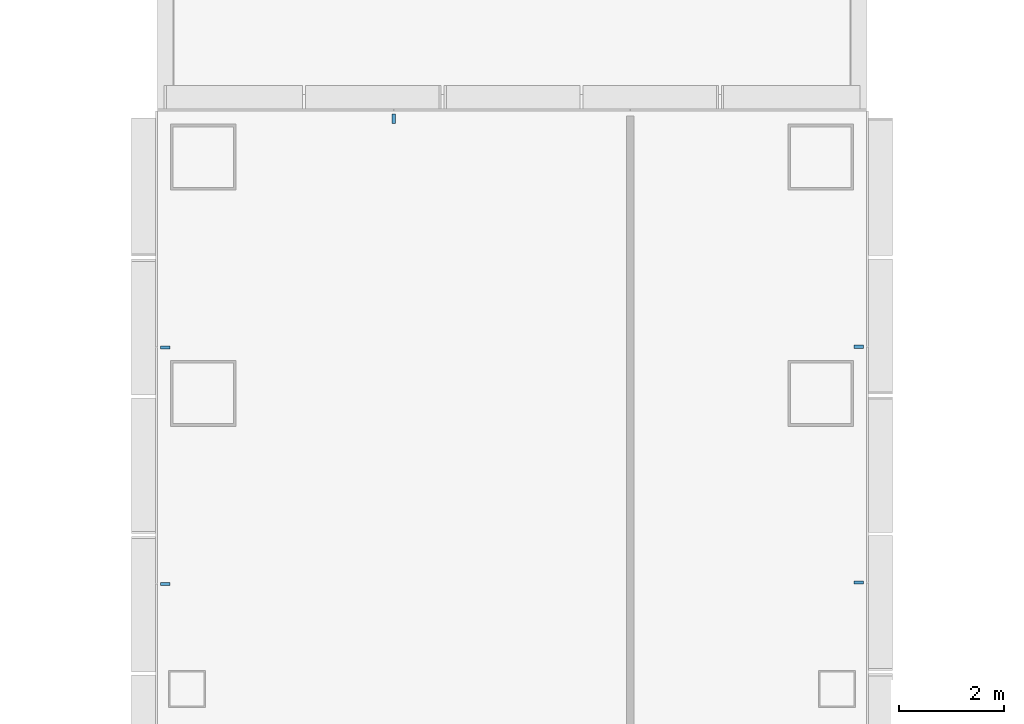
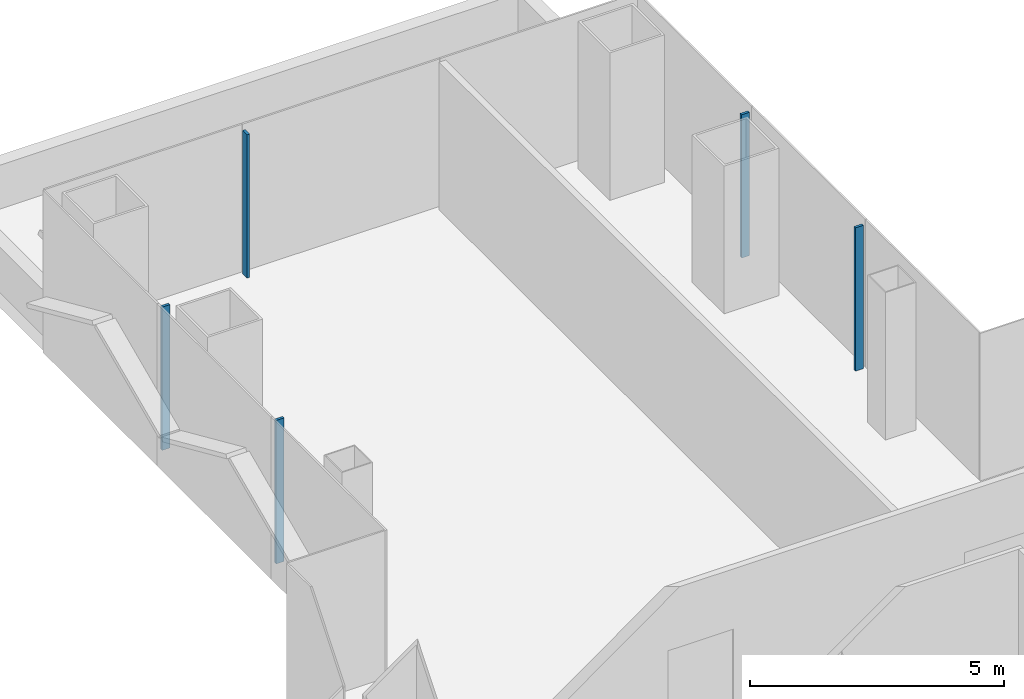
# One storey, part 7 of 20: 5 members, 3 elements without a shape of their own.
"""IFC4 building model written with IfcOpenShell, lengths in metres."""

from ifc_helpers import new_model, si_unit, direction, frame, origin, origin_2d, place, context, subcontext, project, spatial, rectangle, extrude, material, layer, layer_set, material_profile, profile_set, type_object, element, aggregate, save


model = new_model("IFC4")

# Units and contexts
model_context = context("Model", 3, precision=1e-05, world=origin(), true_north=direction((0.0, 1.0)))
body_context = subcontext(model_context, "Body", "Model", "MODEL_VIEW")
ifc_project = project(units=[si_unit("LENGTHUNIT", "METRE"), si_unit("AREAUNIT", "SQUARE_METRE"), si_unit("VOLUMEUNIT", "CUBIC_METRE"), si_unit("PLANEANGLEUNIT", "RADIAN"), si_unit("MASSUNIT", "GRAM", prefix="KILO")], contexts=[model_context])

# Site, building, storey
site_placement = place(None, origin())
site = spatial("IfcSite", under=ifc_project, at=site_placement, CompositionType="ELEMENT")
building_placement = place(site_placement, origin())
building = spatial("IfcBuilding", under=site, at=building_placement, Name="Shamsa Quay Exchange Towers", CompositionType="ELEMENT")
storey_placement = place(building_placement, frame((0.0, 0.0, 81.89990234375)))
storey = spatial("IfcBuildingStorey", under=building, at=storey_placement, Name="L18", CompositionType="ELEMENT", Elevation=81.89990234375)

# Curtain wall, members
ifc_material = material(Name="Aluminium EN AW-6063 T6, black anodised", Category="aluminium")
ifc_layer = layer(ifc_material, 0.280029296875)
ifc_layer_set = layer_set([ifc_layer], Name="CW-1 UNITISED VISION GLASS")
curtain_wall_type = type_object("IfcCurtainWallType", Name="CW-1 UNITISED VISION GLASS", PredefinedType="NOTDEFINED", material=ifc_layer_set)
curtain_wall_1_placement = place(storey_placement, origin())
curtain_wall_1 = element("IfcCurtainWall", 1, at=curtain_wall_1_placement, inside=storey, type_object=curtain_wall_type, Name="CW1 T2-FLK-U+S L18", PredefinedType="NOTDEFINED")
ifc_material_profile = material_profile(ifc_material, rectangle(XDim=0.179931640625, YDim=0.06005859375, at=origin_2d()), Name="MU60x180")
ifc_profile_set = profile_set([ifc_material_profile], Name="Aluminium EN AW-6063 T6, black anodised")
member_type = type_object("IfcMemberType", Name="CW1 MULLION 60x180", PredefinedType="MULLION", material=ifc_profile_set)
member_1_placement = place(storey_placement, frame((40.35009765625, 15.775390625, 0.0), z_axis=(0.0, 0.0, 1.0), x_axis=(-1.0, 0.0, 0.0)))
member_1 = element("IfcMember", 2, at=member_1_placement, type_object=member_type, Name="CW1 mullion", PredefinedType="MULLION", context=body_context, shape_type="SweptSolid", body=[
    extrude(rectangle(XDim=0.179931640625, YDim=0.06005859375, at=origin_2d()), origin(), (0.0, 0.0, 1.0), 3.4501953125),
])
member_2_placement = place(storey_placement, frame((40.35009765625, 20.2626953125, 0.0), z_axis=(0.0, 0.0, 1.0), x_axis=(-1.0, 0.0, 0.0)))
member_2 = element("IfcMember", 3, at=member_2_placement, type_object=member_type, Name="CW1 mullion", PredefinedType="MULLION", context=body_context, shape_type="SweptSolid", body=[
    extrude(rectangle(XDim=0.179931640625, YDim=0.06005859375, at=origin_2d()), origin(), (0.0, 0.0, 1.0), 3.4501953125),
])
aggregate(curtain_wall_1, [member_1, member_2])

# Curtain wall, member
curtain_wall_2_placement = place(storey_placement, origin())
curtain_wall_2 = element("IfcCurtainWall", 4, at=curtain_wall_2_placement, inside=storey, type_object=curtain_wall_type, Name="CW1 T2-END-U+ L18", PredefinedType="NOTDEFINED")
member_3_placement = place(storey_placement, frame((31.5, 24.60009765625, 0.0), z_axis=(0.0, 0.0, 1.0), x_axis=(0.0, -1.0, 0.0)))
member_3 = element("IfcMember", 5, at=member_3_placement, type_object=member_type, Name="CW1 mullion", PredefinedType="MULLION", context=body_context, shape_type="SweptSolid", body=[
    extrude(rectangle(XDim=0.179931640625, YDim=0.06005859375, at=origin_2d()), origin(), (0.0, 0.0, 1.0), 3.4501953125),
])
aggregate(curtain_wall_2, [member_3])

# Curtain wall, members
curtain_wall_3_placement = place(storey_placement, origin())
curtain_wall_3 = element("IfcCurtainWall", 6, at=curtain_wall_3_placement, inside=storey, type_object=curtain_wall_type, Name="CW1 T2-FLK-U+N L18", PredefinedType="NOTDEFINED")
member_4_placement = place(storey_placement, frame((27.14990234375, 20.25, 0.0)))
member_4 = element("IfcMember", 7, at=member_4_placement, type_object=member_type, Name="CW1 mullion", PredefinedType="MULLION", context=body_context, shape_type="SweptSolid", body=[
    extrude(rectangle(XDim=0.179931640625, YDim=0.06005859375, at=origin_2d()), origin(), (0.0, 0.0, 1.0), 3.4501953125),
])
member_5_placement = place(storey_placement, frame((27.14990234375, 15.75, 0.0)))
member_5 = element("IfcMember", 8, at=member_5_placement, type_object=member_type, Name="CW1 mullion", PredefinedType="MULLION", context=body_context, shape_type="SweptSolid", body=[
    extrude(rectangle(XDim=0.179931640625, YDim=0.06005859375, at=origin_2d()), origin(), (0.0, 0.0, 1.0), 3.4501953125),
])
aggregate(curtain_wall_3, [member_4, member_5])

save(model, "model.ifc")
